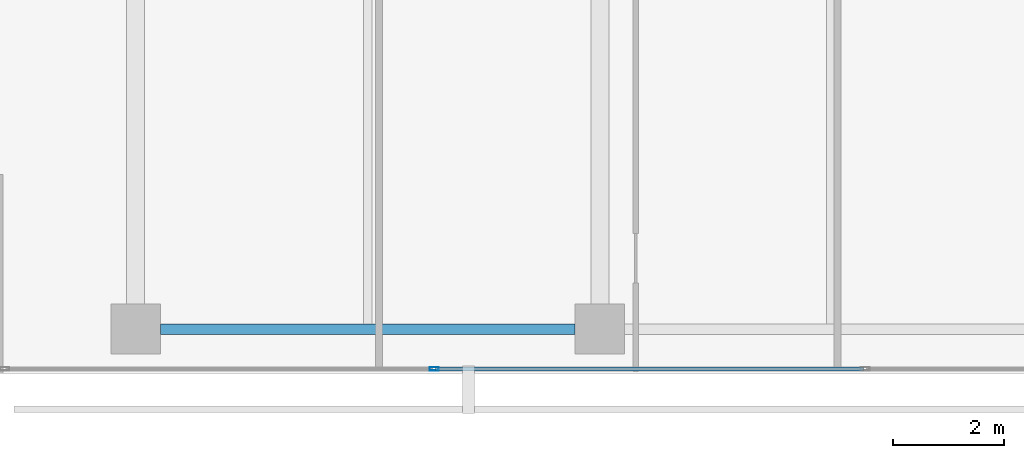
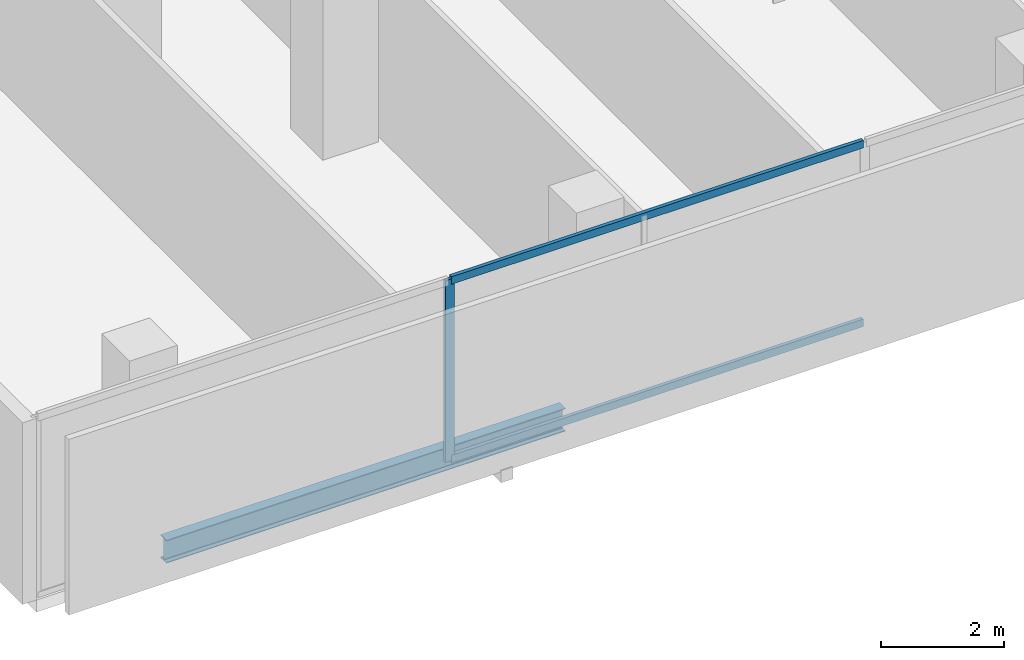
# One storey, part 3 of 40: 3 members, 1 beam, 1 element without a shape of its own.
"""IFC4 building model written with IfcOpenShell, lengths in metres."""

import ifcopenshell
import ifcopenshell.guid

model = None  # the IFC model being written
_history = None  # IfcOwnerHistory: only IFC2X3 demands one
_inside = {}  # id of a spatial element -> (the spatial element, [elements in it])
_under = {}  # id of a project, library or spatial element -> (it, [spatial elements below it])
_declared = {}  # id of a project -> (the project, [libraries it declares])
_typed = {}  # id of a type object -> (the type object, [elements of that type])
_made_of = {}  # id of a material, layer set ... -> (it, [elements and type objects made of it])


def new_model(schema):
    """Start an empty IFC model of exactly this schema.

    Asked for "IFC4X3", IfcOpenShell would pick the latest addendum, in which some entities
    have other attributes; the version numbers below select the first issue.
    IFC2X3 requires an IfcOwnerHistory on every rooted entity: one is made here for all.
    """
    global model, _history
    if schema == "IFC4X3":
        model = ifcopenshell.file(schema_version=(4, 3, 0, 0))
    else:
        model = ifcopenshell.file(schema=schema)
    _inside.clear()
    _under.clear()
    _declared.clear()
    _typed.clear()
    _made_of.clear()
    _history = None
    if model.schema == "IFC2X3":
        org = make("IfcOrganization", Name="unknown")
        user = make(
            "IfcPersonAndOrganization",
            ThePerson=make("IfcPerson", FamilyName="unknown"),
            TheOrganization=org,
        )
        app = make(
            "IfcApplication",
            ApplicationDeveloper=org,
            Version="unknown",
            ApplicationFullName="unknown",
            ApplicationIdentifier="unknown",
        )
        _history = make(
            "IfcOwnerHistory",
            OwningUser=user,
            OwningApplication=app,
            ChangeAction="ADDED",
            CreationDate=0,
        )
    return model


def make(cls, **values):
    """One entity of the class cls with the attributes given. An attribute that is None is left unset."""
    return model.create_entity(
        cls, **{name: value for name, value in values.items() if value is not None}
    )


def rooted(cls, **values):
    """An entity with a GlobalId (a new one), such as an element, a storey or a relation."""
    return make(cls, GlobalId=ifcopenshell.guid.new(), OwnerHistory=_history, **values)


def si_unit(unit_type, name, prefix=None):
    """IfcSIUnit, for example si_unit("LENGTHUNIT", "METRE", prefix="MILLI")."""
    return make("IfcSIUnit", UnitType=unit_type, Prefix=prefix, Name=name)


def assignment(units):
    """IfcUnitAssignment: the units of a project."""
    return None if units is None else make("IfcUnitAssignment", Units=units)


def point(xyz):
    """IfcCartesianPoint."""
    return None if xyz is None else make("IfcCartesianPoint", Coordinates=xyz)


def direction(xyz):
    """IfcDirection."""
    return None if xyz is None else make("IfcDirection", DirectionRatios=xyz)


def frame(location, z_axis=None, x_axis=None):
    """IfcAxis2Placement3D, a coordinate frame: its origin and axes. An axis left out is left unset."""
    return make(
        "IfcAxis2Placement3D",
        Location=point(location),
        Axis=direction(z_axis),
        RefDirection=direction(x_axis),
    )


def frame_2d(location, x_axis=None):
    """IfcAxis2Placement2D, a coordinate frame in the plane: its origin and x axis."""
    return make(
        "IfcAxis2Placement2D", Location=point(location), RefDirection=direction(x_axis)
    )


def origin():
    """The frame at (0, 0, 0) with its axes left unset."""
    return frame((0.0, 0.0, 0.0))


def origin_2d():
    """The frame at (0, 0) in the plane with its x axis left unset."""
    return frame_2d((0.0, 0.0))


def place(relative_to, where):
    """IfcLocalPlacement: puts the frame where relative to a parent placement (None: the world)."""
    return make(
        "IfcLocalPlacement", PlacementRelTo=relative_to, RelativePlacement=where
    )


def context(
    kind, dimensions, precision=None, world=None, true_north=None, identifier=None
):
    """IfcGeometricRepresentationContext, for example the 3D "Model" context."""
    return make(
        "IfcGeometricRepresentationContext",
        ContextIdentifier=identifier,
        ContextType=kind,
        CoordinateSpaceDimension=dimensions,
        Precision=precision,
        WorldCoordinateSystem=world,
        TrueNorth=true_north,
    )


def subcontext(parent, identifier, kind, view, scale=None):
    """IfcGeometricRepresentationSubContext, for example "Body" below "Model"."""
    return make(
        "IfcGeometricRepresentationSubContext",
        ContextIdentifier=identifier,
        ContextType=kind,
        ParentContext=parent,
        TargetScale=scale,
        TargetView=view,
    )


def project(units=None, contexts=None):
    """IfcProject with its units and contexts."""
    return rooted(
        "IfcProject",
        Name="project",
        RepresentationContexts=contexts,
        UnitsInContext=assignment(units),
    )


def spatial(cls, under=None, at=None, **own):
    """A site, building, storey or space (cls), placed at a placement, below another one or the project."""
    s = rooted(cls, ObjectPlacement=at, **own)
    if under is not None:
        _under.setdefault(under.id(), (under, []))[1].append(s)
    return s


def profile(cls, at=None, kind="AREA", **sizes):
    """A parametric profile (cls). Its sizes go by their IFC names, for example OverallWidth=200.0."""
    return make(cls, ProfileType=kind, Position=at, **sizes)


def hollow_rectangle(**sizes):
    """IfcRectangleHollowProfileDef."""
    return profile("IfcRectangleHollowProfileDef", **sizes)


def i_section(**sizes):
    """IfcIShapeProfileDef."""
    return profile("IfcIShapeProfileDef", **sizes)


def extrude(swept, where, along, depth):
    """IfcExtrudedAreaSolid: the profile swept, set in the frame where, extruded along a direction by depth."""
    return make(
        "IfcExtrudedAreaSolid",
        SweptArea=swept,
        Position=where,
        ExtrudedDirection=direction(along),
        Depth=depth,
    )


def shape(context_of_items, identifier, shape_type, items):
    """IfcShapeRepresentation: the items that make up one representation, for example the "Body"."""
    return make(
        "IfcShapeRepresentation",
        ContextOfItems=context_of_items,
        RepresentationIdentifier=identifier,
        RepresentationType=shape_type,
        Items=items,
    )


def material(Name=None, Category=None):
    """IfcMaterial."""
    return make("IfcMaterial", Name=Name, Category=Category)


def layer(
    of_material, thickness, ventilated=None, Name=None, Category=None, Priority=None
):
    """IfcMaterialLayer: one layer of a wall or slab, of a material (None: an air gap)."""
    return make(
        "IfcMaterialLayer",
        Material=of_material,
        LayerThickness=thickness,
        IsVentilated=ventilated,
        Name=Name,
        Category=Category,
        Priority=Priority,
    )


def layer_set(layers, Name=None):
    """IfcMaterialLayerSet."""
    return make("IfcMaterialLayerSet", MaterialLayers=layers, LayerSetName=Name)


def material_profile(
    of_material, cross_section, Name=None, Category=None, Priority=None
):
    """IfcMaterialProfile: a cross section and its material."""
    return make(
        "IfcMaterialProfile",
        Name=Name,
        Material=of_material,
        Profile=cross_section,
        Priority=Priority,
        Category=Category,
    )


def profile_set(profiles, Name=None, composite=None):
    """IfcMaterialProfileSet."""
    return make(
        "IfcMaterialProfileSet",
        Name=Name,
        MaterialProfiles=profiles,
        CompositeProfile=composite,
    )


def made_of(thing, what):
    """Note that an element or type object is made of a material, layer set ...; save() writes the relation."""
    if what is not None:
        _made_of.setdefault(what.id(), (what, []))[1].append(thing)
    return thing


def type_object(cls, material=None, **own):
    """A type object (cls), such as IfcWallType, which elements share."""
    return made_of(rooted(cls, **own), material)


def element(
    cls,
    number,
    at=None,
    inside=None,
    cuts=None,
    type_object=None,
    material=None,
    context=None,
    identifier="Body",
    shape_type=None,
    held_by="IfcProductDefinitionShape",
    body=None,
    shapes=None,
    **own,
):
    """One element of the class cls, such as IfcWall. Its Tag is "e" and its number.

    at: its placement. inside: the storey or other place that contains it. cuts: it is an
    opening in that element (IfcRelVoidsElement). A single representation is given by context,
    identifier, shape_type and body (its items); several are given by shapes. held_by: the class
    of the entity that holds the representations. save() writes the other relations.
    """
    e = rooted(cls, Tag="e%d" % number, ObjectPlacement=at, **own)
    if body is not None:
        shapes = [shape(context, identifier, shape_type, body)]
    if shapes is not None:
        e.Representation = make(held_by, Representations=shapes)
    if inside is not None:
        _inside.setdefault(inside.id(), (inside, []))[1].append(e)
    if cuts is not None:
        rooted(
            "IfcRelVoidsElement", RelatingBuildingElement=cuts, RelatedOpeningElement=e
        )
    if type_object is not None:
        _typed.setdefault(type_object.id(), (type_object, []))[1].append(e)
    return made_of(e, material)


def aggregate(whole, parts):
    """IfcRelAggregates: a whole, such as a stair, and the parts it consists of."""
    return rooted("IfcRelAggregates", RelatingObject=whole, RelatedObjects=parts)


def save(model, path):
    """Write the relations noted so far, then the file.

    IfcRelAggregates (storeys below a building ...), IfcRelContainedInSpatialStructure (elements
    in a storey), IfcRelDefinesByType, IfcRelAssociatesMaterial and IfcRelDeclares: one each for
    every whole, place, type object, material and project.
    """
    for whole, parts in _under.values():
        aggregate(whole, parts)
    for where, things in _inside.values():
        rooted(
            "IfcRelContainedInSpatialStructure",
            RelatedElements=things,
            RelatingStructure=where,
        )
    for kind, things in _typed.values():
        rooted("IfcRelDefinesByType", RelatedObjects=things, RelatingType=kind)
    for what, things in _made_of.values():
        rooted("IfcRelAssociatesMaterial", RelatedObjects=things, RelatingMaterial=what)
    for by, libraries in _declared.values():
        rooted("IfcRelDeclares", RelatingContext=by, RelatedDefinitions=libraries)
    model.write(path)


model = new_model("IFC4")

# Units and contexts
model_context = context("Model", 3, precision=1e-05, world=origin(), true_north=direction((0.0, 1.0)))
body_context = subcontext(model_context, "Body", "Model", "MODEL_VIEW")
ifc_project = project(units=[si_unit("LENGTHUNIT", "METRE"), si_unit("AREAUNIT", "SQUARE_METRE"), si_unit("VOLUMEUNIT", "CUBIC_METRE"), si_unit("PLANEANGLEUNIT", "RADIAN"), si_unit("MASSUNIT", "GRAM", prefix="KILO")], contexts=[model_context])

# Site, building, storey
site_placement = place(None, origin())
site = spatial("IfcSite", under=ifc_project, at=site_placement, CompositionType="ELEMENT")
building_placement = place(site_placement, origin())
building = spatial("IfcBuilding", under=site, at=building_placement, Name="Maruvema Waterfront Hotel and Observation Tower", CompositionType="ELEMENT")
storey_placement = place(building_placement, frame((0.0, 0.0, 50.050048828125)))
storey = spatial("IfcBuildingStorey", under=building, at=storey_placement, Name="L11", CompositionType="ELEMENT", Elevation=50.050048828125)

# Curtain wall, members
ifc_material_1 = material(Name="Anodised bronze aluminium and solar-control low-E IGU", Category="aluminium")
ifc_layer = layer(ifc_material_1, 0.159912109375, Name="Zone 1 Bronze Inner Thermal Curtain Wall System CW-02")
ifc_layer_set = layer_set([ifc_layer], Name="Anodised bronze aluminium and solar-control low-E IGU")
curtain_wall_type = type_object("IfcCurtainWallType", Name="Zone 1 Bronze Inner Thermal Curtain Wall System CW-02", PredefinedType="USERDEFINED", material=ifc_layer_set)
curtain_wall_placement = place(storey_placement, origin())
curtain_wall = element("IfcCurtainWall", 1, at=curtain_wall_placement, inside=storey, type_object=curtain_wall_type, Name="L11 Curtain Wall CW-L11-S", ObjectType="UNITISED CURTAIN WALL", PredefinedType="USERDEFINED")
ifc_material_2 = material(Name="Anodised architectural bronze aluminium", Category="aluminium")
ifc_material_profile_1 = material_profile(ifc_material_2, hollow_rectangle(XDim=0.070068359375, YDim=0.14990234375, WallThickness=0.00390625, at=origin_2d()), Name="ALU-T70x150")
ifc_profile_set_1 = profile_set([ifc_material_profile_1], Name="Anodised architectural bronze aluminium")
member_type_1 = type_object("IfcMemberType", Name="Curtain Wall Horizontal Transom ALU-T70x150", PredefinedType="USERDEFINED", material=ifc_profile_set_1)
member_1_placement = place(storey_placement, frame((22.22998046875, 0.080078125, 0.030029296875), z_axis=(1.0, 0.0, 0.0), x_axis=(0.0, 1.0, 0.0)))
member_1 = element("IfcMember", 2, at=member_1_placement, type_object=member_type_1, Name="CW-02 transom 2.1", ObjectType="TRANSOM", PredefinedType="USERDEFINED", context=body_context, shape_type="SweptSolid", body=[
    extrude(hollow_rectangle(XDim=0.070068359375, YDim=0.14990234375, WallThickness=0.00390625, at=origin_2d()), origin(), (0.0, 0.0, 1.0), 7.739990234375),
])
member_2_placement = place(storey_placement, frame((22.22998046875, 0.080078125, 3.579833984375), z_axis=(1.0, 0.0, 0.0), x_axis=(0.0, 1.0, 0.0)))
member_2 = element("IfcMember", 3, at=member_2_placement, type_object=member_type_1, Name="CW-02 transom 2.2", ObjectType="TRANSOM", PredefinedType="USERDEFINED", context=body_context, shape_type="SweptSolid", body=[
    extrude(hollow_rectangle(XDim=0.070068359375, YDim=0.14990234375, WallThickness=0.00390625, at=origin_2d()), origin(), (0.0, 0.0, 1.0), 7.739990234375),
])
ifc_material_3 = material(Name="Anodised architectural bronze aluminium", Category="aluminium")
ifc_material_profile_2 = material_profile(ifc_material_3, hollow_rectangle(XDim=0.06494140625, YDim=0.1650390625, WallThickness=0.00390625, at=origin_2d()), Name="ALU-M65x165")
ifc_profile_set_2 = profile_set([ifc_material_profile_2], Name="Anodised architectural bronze aluminium")
member_type_2 = type_object("IfcMemberType", Name="Curtain Wall Primary Mullion ALU-M65x165", PredefinedType="MULLION", material=ifc_profile_set_2)
member_3_placement = place(storey_placement, frame((22.199951171875, 0.080078125, 0.0), z_axis=(0.0, 0.0, 1.0), x_axis=(0.0, 1.0, 0.0)))
member_3 = element("IfcMember", 4, at=member_3_placement, type_object=member_type_2, Name="CW-02 mullion 2", PredefinedType="MULLION", context=body_context, shape_type="SweptSolid", body=[
    extrude(hollow_rectangle(XDim=0.06494140625, YDim=0.1650390625, WallThickness=0.00390625, at=origin_2d()), origin(), (0.0, 0.0, 1.0), 3.60986328125),
])
aggregate(curtain_wall, [member_3, member_1, member_2])

# Beam
ifc_material_4 = material(Name="Steel ASTM A572 Grade 50", Category="steel")
ifc_material_profile_3 = material_profile(ifc_material_4, i_section(OverallWidth=0.18994140625, OverallDepth=0.45703125, WebThickness=0.009033203125, FlangeThickness=0.014404296875, FilletRadius=0.014892578125, at=origin_2d()), Name="W460x74.0")
ifc_profile_set_3 = profile_set([ifc_material_profile_3], Name="Steel ASTM A572 Grade 50")
beam_type = type_object("IfcBeamType", Name="Perimeter Spandrel Beam W460x74.0", PredefinedType="SPANDREL", material=ifc_profile_set_3)
beam_placement = place(storey_placement, frame((17.25, 0.800048828125, -0.468505859375), z_axis=(1.0, 0.0, 0.0), x_axis=(0.0, 1.0, 0.0)))
element("IfcBeam", 5, at=beam_placement, inside=storey, type_object=beam_type, Name="L11 Floor Girder EW-01", PredefinedType="SPANDREL", context=body_context, shape_type="SweptSolid", body=[
    extrude(i_section(OverallWidth=0.18994140625, OverallDepth=0.45703125, WebThickness=0.009033203125, FlangeThickness=0.014404296875, FilletRadius=0.014892578125, at=origin_2d()), origin(), (0.0, 0.0, 1.0), 7.5),
])

save(model, "model.ifc")
